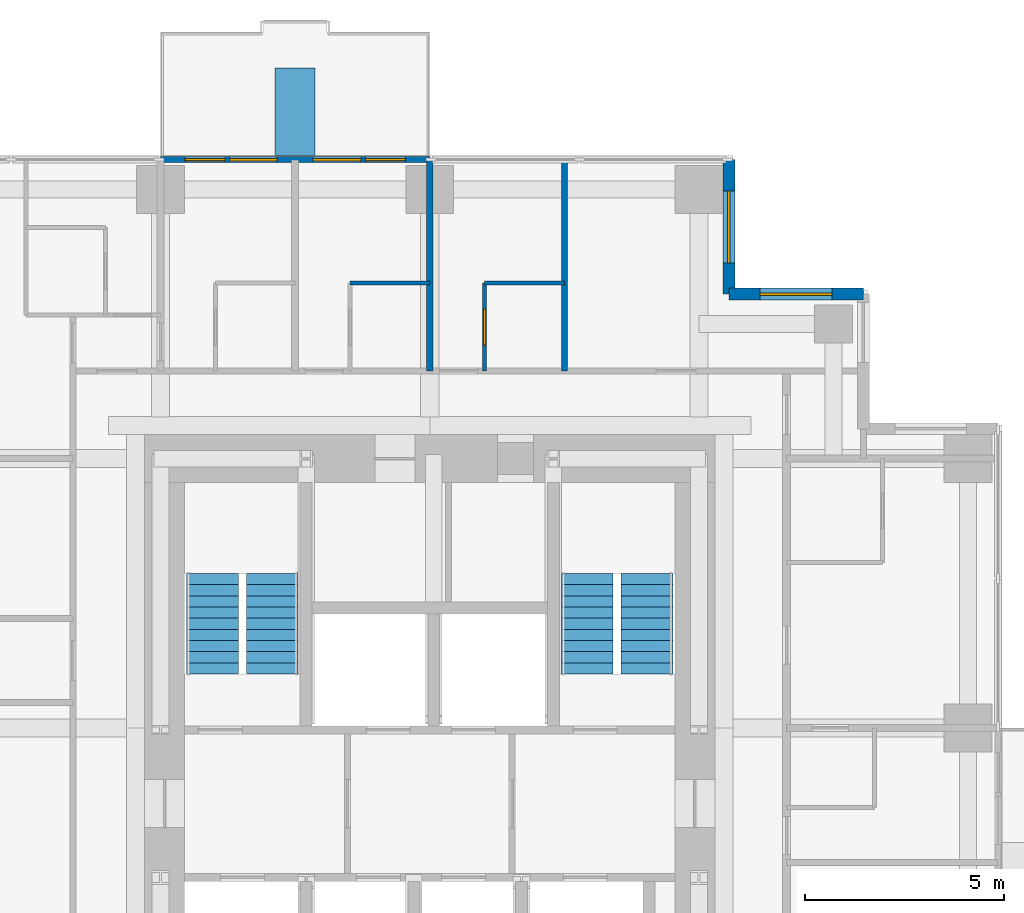
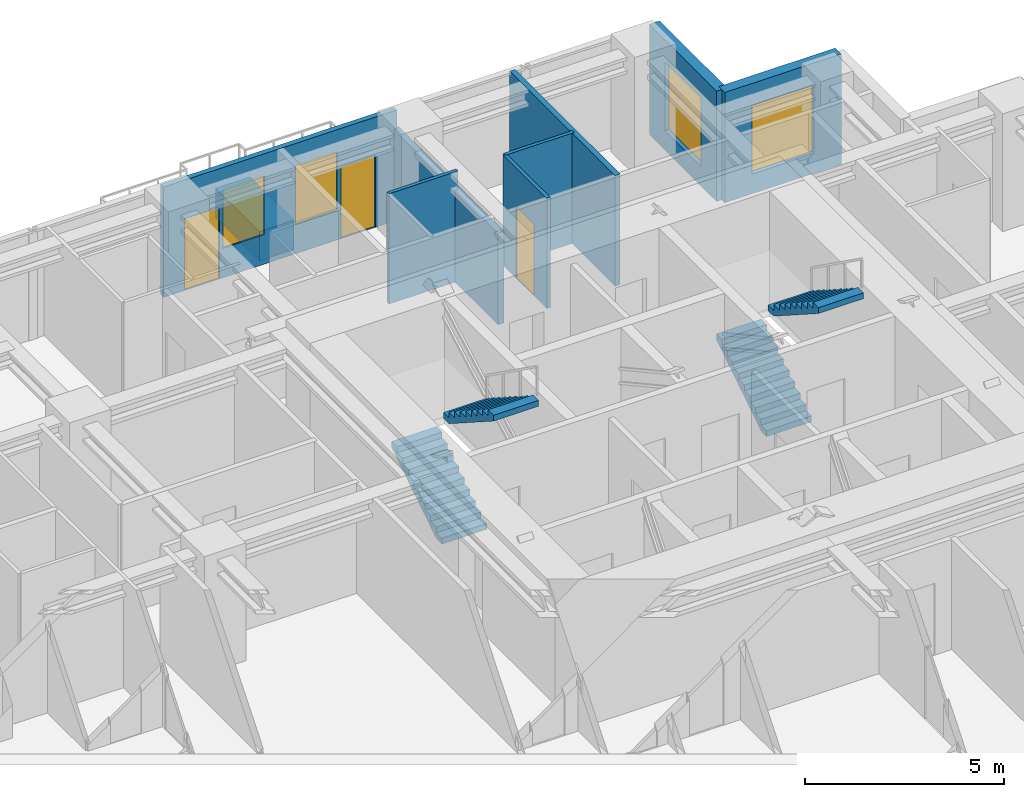
# One storey, part 9 of 10: 9 walls, 4 stair flights, 4 windows, 3 doors, 7 openings, 2 elements without a shape of their own.
"""IFC4 building model written with IfcOpenShell, lengths in metres."""

from ifc_helpers import new_model, si_unit, direction, frame, frame_2d, origin, place, context, subcontext, project, spatial, polyline, rectangle, outline, extrude, material, layer, layer_set, type_object, element, fill, aggregate, save


model = new_model("IFC4")

# Units and contexts
model_context = context("Model", 3, precision=1e-05, world=origin(), true_north=direction((0.0, 1.0)))
body_context = subcontext(model_context, "Body", "Model", "MODEL_VIEW")
ifc_project = project(units=[si_unit("LENGTHUNIT", "METRE"), si_unit("AREAUNIT", "SQUARE_METRE"), si_unit("VOLUMEUNIT", "CUBIC_METRE"), si_unit("PLANEANGLEUNIT", "RADIAN"), si_unit("MASSUNIT", "GRAM", prefix="KILO")], contexts=[model_context])

# Site, building, storey
site_placement = place(None, origin())
site = spatial("IfcSite", under=ifc_project, at=site_placement, CompositionType="ELEMENT")
building_placement = place(site_placement, origin())
building = spatial("IfcBuilding", under=site, at=building_placement, Name="Nyansa Garden Tower", CompositionType="ELEMENT")
storey_placement = place(building_placement, frame((0.0, 0.0, 185.39990234375)))
storey = spatial("IfcBuildingStorey", under=building, at=storey_placement, Name="L50", CompositionType="ELEMENT", Elevation=185.39990234375)

# Wall
ifc_material_1 = material(Name="Dense blockwork, plastered both sides, 55 dB", Category="masonry")
ifc_layer_1 = layer(ifc_material_1, 0.175048828125)
ifc_layer_set_1 = layer_set([ifc_layer_1], Name="Acoustic party wall PW175")
wall_type_1 = type_object("IfcWallType", Name="Acoustic party wall PW175", PredefinedType="PARTITIONING", material=ifc_layer_set_1)
wall_1_placement = place(storey_placement, frame((20.25, 29.199951171875, 0.0), z_axis=(0.0, 0.0, 1.0), x_axis=(0.0, 1.0, 0.0)))
element("IfcWall", 1, at=wall_1_placement, inside=storey, type_object=wall_type_1, Name="Party wall", PredefinedType="PARTITIONING", context=body_context, shape_type="SweptSolid", body=[
    extrude(rectangle(XDim=5.283935546875, YDim=0.175048828125, at=frame_2d((2.64208984375, 0.0))), origin(), (0.0, 0.0, 1.0), 2.80615234375),
])

# Wall, openings, doors, windows
ifc_material_2 = material(Name="Black aluminium framed glazed screen", Category="aluminium")
ifc_layer_2 = layer(ifc_material_2, 0.14990234375)
ifc_layer_set_2 = layer_set([ifc_layer_2], Name="Balcony screen wall BW150")
wall_type_2 = type_object("IfcWallType", Name="Balcony screen wall BW150", PredefinedType="SOLIDWALL", material=ifc_layer_set_2)
wall_2_placement = place(storey_placement, frame((13.5, 34.5, 0.0), z_axis=(0.0, 0.0, 1.0), x_axis=(1.0, 0.0, 0.0)))
wall_2 = element("IfcWall", 2, at=wall_2_placement, inside=storey, type_object=wall_type_2, Name="Glazed screen wall L50 N", PredefinedType="SOLIDWALL", context=body_context, shape_type="SweptSolid", body=[
    extrude(rectangle(XDim=6.75, YDim=0.14990234375, at=frame_2d((3.375, 0.0))), origin(), (0.0, 0.0, 1.0), 3.375),
])
opening_1_placement = place(wall_2_placement, frame((0.612548828125, 0.0, 0.0)))
opening_1 = element("IfcOpeningElement", 3, at=opening_1_placement, cuts=wall_2, Name="Opening D20", PredefinedType="OPENING", context=body_context, shape_type="SweptSolid", body=[
    extrude(rectangle(XDim=1.0, YDim=2.199951171875, at=frame_2d((0.5, 1.10009765625))), frame((0.0, 0.0849609375, 0.0), z_axis=(0.0, -1.0, 0.0), x_axis=(1.0, 0.0, 0.0)), (0.0, 0.0, 1.0), 0.169921875),
])
opening_2_placement = place(wall_2_placement, frame((1.72509765625, 0.0, 0.89990234375)))
opening_2 = element("IfcOpeningElement", 4, at=opening_2_placement, cuts=wall_2, Name="Opening W6", PredefinedType="OPENING", context=body_context, shape_type="SweptSolid", body=[
    extrude(rectangle(XDim=1.199951171875, YDim=1.800048828125, at=frame_2d((0.60009765625, 0.89990234375))), frame((0.0, 0.0849609375, 0.0), z_axis=(0.0, -1.0, 0.0), x_axis=(1.0, 0.0, 0.0)), (0.0, 0.0, 1.0), 0.169921875),
])
opening_3_placement = place(wall_2_placement, frame((5.137451171875, 0.0, 0.0)))
opening_3 = element("IfcOpeningElement", 5, at=opening_3_placement, cuts=wall_2, Name="Opening D20", PredefinedType="OPENING", context=body_context, shape_type="SweptSolid", body=[
    extrude(rectangle(XDim=1.0, YDim=2.199951171875, at=frame_2d((0.5, 1.10009765625))), frame((0.0, 0.0849609375, 0.0), z_axis=(0.0, -1.0, 0.0), x_axis=(1.0, 0.0, 0.0)), (0.0, 0.0, 1.0), 0.169921875),
])
opening_4_placement = place(wall_2_placement, frame((3.824951171875, 0.0, 0.89990234375)))
opening_4 = element("IfcOpeningElement", 6, at=opening_4_placement, cuts=wall_2, Name="Opening W6", PredefinedType="OPENING", context=body_context, shape_type="SweptSolid", body=[
    extrude(rectangle(XDim=1.199951171875, YDim=1.800048828125, at=frame_2d((0.60009765625, 0.89990234375))), frame((0.0, 0.0849609375, 0.0), z_axis=(0.0, -1.0, 0.0), x_axis=(1.0, 0.0, 0.0)), (0.0, 0.0, 1.0), 0.169921875),
])
ifc_material_3 = material(Name="Black aluminium framed glazed door", Category="aluminium")
door_type_1 = type_object("IfcDoorType", Name="Balcony door D20 1000x2200", OperationType="NOTDEFINED", PredefinedType="DOOR", material=ifc_material_3)
door_1_placement = place(opening_1_placement, origin())
door_1 = element("IfcDoor", 7, at=door_1_placement, inside=storey, type_object=door_type_1, Name="Balcony door L50", OperationType="SINGLE_SWING_LEFT", OverallHeight=2.199951171875, OverallWidth=1.0, PredefinedType="DOOR", context=body_context, shape_type="SweptSolid", body=[
    extrude(rectangle(XDim=1.0, YDim=2.199951171875, at=frame_2d((0.5, 1.10009765625))), frame((0.0, 0.02490234375, 0.0), z_axis=(0.0, -1.0, 0.0), x_axis=(1.0, 0.0, 0.0)), (0.0, 0.0, 1.0), 0.050048828125),
])
fill(opening_1, door_1)
door_2_placement = place(opening_3_placement, origin())
door_2 = element("IfcDoor", 8, at=door_2_placement, inside=storey, type_object=door_type_1, Name="Balcony door L50", OperationType="SINGLE_SWING_RIGHT", OverallHeight=2.199951171875, OverallWidth=1.0, PredefinedType="DOOR", context=body_context, shape_type="SweptSolid", body=[
    extrude(rectangle(XDim=1.0, YDim=2.199951171875, at=frame_2d((0.5, 1.10009765625))), frame((0.0, 0.02490234375, 0.0), z_axis=(0.0, -1.0, 0.0), x_axis=(1.0, 0.0, 0.0)), (0.0, 0.0, 1.0), 0.050048828125),
])
fill(opening_3, door_2)
ifc_material_4 = material(Name="Black aluminium frame, dark tinted double glazing", Category="aluminium")
window_type_1 = type_object("IfcWindowType", Name="Balcony window W6 1200x1800", PartitioningType="SINGLE_PANEL", PredefinedType="WINDOW", material=ifc_material_4)
window_1_placement = place(opening_2_placement, origin())
window_1 = element("IfcWindow", 9, at=window_1_placement, inside=storey, type_object=window_type_1, Name="Window L50", OverallHeight=1.800048828125, OverallWidth=1.199951171875, PartitioningType="SINGLE_PANEL", PredefinedType="WINDOW", context=body_context, shape_type="SweptSolid", body=[
    extrude(rectangle(XDim=1.199951171875, YDim=1.800048828125, at=frame_2d((0.60009765625, 0.89990234375))), frame((0.0, 0.030029296875, 0.0), z_axis=(0.0, -1.0, 0.0), x_axis=(1.0, 0.0, 0.0)), (0.0, 0.0, 1.0), 0.06005859375),
])
fill(opening_2, window_1)
window_2_placement = place(opening_4_placement, origin())
window_2 = element("IfcWindow", 10, at=window_2_placement, inside=storey, type_object=window_type_1, Name="Window L50", OverallHeight=1.800048828125, OverallWidth=1.199951171875, PartitioningType="SINGLE_PANEL", PredefinedType="WINDOW", context=body_context, shape_type="SweptSolid", body=[
    extrude(rectangle(XDim=1.199951171875, YDim=1.800048828125, at=frame_2d((0.60009765625, 0.89990234375))), frame((0.0, 0.030029296875, 0.0), z_axis=(0.0, -1.0, 0.0), x_axis=(1.0, 0.0, 0.0)), (0.0, 0.0, 1.0), 0.06005859375),
])
fill(opening_4, window_2)

# Wall
ifc_material_5 = material(Name="Blockwork, plastered both sides", Category="masonry")
ifc_layer_3 = layer(ifc_material_5, 0.14990234375)
ifc_layer_set_3 = layer_set([ifc_layer_3], Name="Partition PW150")
wall_type_3 = type_object("IfcWallType", Name="Partition PW150", PredefinedType="PARTITIONING", material=ifc_layer_set_3)
wall_3_placement = place(storey_placement, frame((23.625, 29.199951171875, 0.0), z_axis=(0.0, 0.0, 1.0), x_axis=(0.0, 1.0, 0.0)))
element("IfcWall", 11, at=wall_3_placement, inside=storey, type_object=wall_type_3, Name="Partition", PredefinedType="PARTITIONING", context=body_context, shape_type="SweptSolid", body=[
    extrude(rectangle(XDim=5.283935546875, YDim=0.14990234375, at=frame_2d((2.64208984375, 0.0))), origin(), (0.0, 0.0, 1.0), 3.375),
])

# Wall, opening, window
ifc_material_6 = material(Name="Turquoise glazed tile on concrete blockwork", Category="masonry")
ifc_layer_4 = layer(ifc_material_6, 0.300048828125)
ifc_layer_set_4 = layer_set([ifc_layer_4], Name="Tiled corner wall TW300")
wall_type_4 = type_object("IfcWallType", Name="Tiled corner wall TW300", PredefinedType="SOLIDWALL", material=ifc_layer_set_4)
wall_4_placement = place(storey_placement, frame((31.125, 31.125, 0.0), z_axis=(0.0, 0.0, 1.0), x_axis=(-1.0, 0.0, 0.0)))
wall_4 = element("IfcWall", 12, at=wall_4_placement, inside=storey, type_object=wall_type_4, Name="Tiled corner wall L50", PredefinedType="SOLIDWALL", context=body_context, shape_type="SweptSolid", body=[
    extrude(rectangle(XDim=3.375, YDim=0.300048828125, at=frame_2d((1.6875, 0.0))), origin(), (0.0, 0.0, 1.0), 3.375),
])
opening_5_placement = place(wall_4_placement, frame((0.78759765625, 0.0, 0.60009765625)))
opening_5 = element("IfcOpeningElement", 13, at=opening_5_placement, cuts=wall_4, Name="Opening W2", PredefinedType="OPENING", context=body_context, shape_type="SweptSolid", body=[
    extrude(rectangle(XDim=1.800048828125, YDim=2.10009765625, at=frame_2d((0.89990234375, 1.050048828125))), frame((0.0, 0.159912109375, 0.0), z_axis=(0.0, -1.0, 0.0), x_axis=(1.0, 0.0, 0.0)), (0.0, 0.0, 1.0), 0.320068359375),
])
ifc_material_7 = material(Name="Black aluminium frame, dark tinted double glazing", Category="aluminium")
window_type_2 = type_object("IfcWindowType", Name="Window W2 1800x2100", PartitioningType="SINGLE_PANEL", PredefinedType="WINDOW", material=ifc_material_7)
window_3_placement = place(opening_5_placement, origin())
window_3 = element("IfcWindow", 14, at=window_3_placement, inside=storey, type_object=window_type_2, Name="Corner window L50", OverallHeight=2.10009765625, OverallWidth=1.800048828125, PartitioningType="SINGLE_PANEL", PredefinedType="WINDOW", context=body_context, shape_type="SweptSolid", body=[
    extrude(rectangle(XDim=1.800048828125, YDim=2.10009765625, at=frame_2d((0.89990234375, 1.050048828125))), frame((0.0, 0.030029296875, 0.0), z_axis=(0.0, -1.0, 0.0), x_axis=(1.0, 0.0, 0.0)), (0.0, 0.0, 1.0), 0.06005859375),
])
fill(opening_5, window_3)

wall_5_placement = place(storey_placement, frame((27.75, 31.125, 0.0), z_axis=(0.0, 0.0, 1.0), x_axis=(0.0, 1.0, 0.0)))
wall_5 = element("IfcWall", 15, at=wall_5_placement, inside=storey, type_object=wall_type_4, Name="Tiled corner wall L50", PredefinedType="SOLIDWALL", context=body_context, shape_type="SweptSolid", body=[
    extrude(rectangle(XDim=3.375, YDim=0.300048828125, at=frame_2d((1.6875, 0.0))), origin(), (0.0, 0.0, 1.0), 3.375),
])
opening_6_placement = place(wall_5_placement, frame((0.78759765625, 0.0, 0.60009765625)))
opening_6 = element("IfcOpeningElement", 16, at=opening_6_placement, cuts=wall_5, Name="Opening W2", PredefinedType="OPENING", context=body_context, shape_type="SweptSolid", body=[
    extrude(rectangle(XDim=1.800048828125, YDim=2.10009765625, at=frame_2d((0.89990234375, 1.050048828125))), frame((0.0, 0.159912109375, 0.0), z_axis=(0.0, -1.0, 0.0), x_axis=(1.0, 0.0, 0.0)), (0.0, 0.0, 1.0), 0.320068359375),
])
window_4_placement = place(opening_6_placement, origin())
window_4 = element("IfcWindow", 17, at=window_4_placement, inside=storey, type_object=window_type_2, Name="Corner window L50", OverallHeight=2.10009765625, OverallWidth=1.800048828125, PartitioningType="SINGLE_PANEL", PredefinedType="WINDOW", context=body_context, shape_type="SweptSolid", body=[
    extrude(rectangle(XDim=1.800048828125, YDim=2.10009765625, at=frame_2d((0.89990234375, 1.050048828125))), frame((0.0, 0.030029296875, 0.0), z_axis=(0.0, -1.0, 0.0), x_axis=(1.0, 0.0, 0.0)), (0.0, 0.0, 1.0), 0.06005859375),
])
fill(opening_6, window_4)

# Walls
ifc_material_8 = material(Name="Concrete C40/50 planter, waterproofed", Category="concrete")
ifc_layer_5 = layer(ifc_material_8, 1.0)
ifc_layer_set_5 = layer_set([ifc_layer_5], Name="Tree planter TP1")
wall_type_5 = type_object("IfcWallType", Name="Tree planter TP1", PredefinedType="USERDEFINED", material=ifc_layer_set_5)
wall_6_placement = place(storey_placement, frame((16.875, 34.60009765625, 0.0), z_axis=(0.0, 0.0, 1.0), x_axis=(0.0, 1.0, 0.0)))
element("IfcWall", 18, at=wall_6_placement, inside=storey, type_object=wall_type_5, Name="Tree planter L50", ObjectType="TREE PLANTER", PredefinedType="USERDEFINED", context=body_context, shape_type="SweptSolid", body=[
    extrude(rectangle(XDim=2.199951171875, YDim=1.0, at=frame_2d((1.10009765625, 0.0))), origin(), (0.0, 0.0, 1.0), 0.900146484375),
])
ifc_material_9 = material(Name="Moisture resistant board on steel studs, tiled", Category="steel")
ifc_layer_6 = layer(ifc_material_9, 0.10009765625)
ifc_layer_set_6 = layer_set([ifc_layer_6], Name="Wet wall PW100")
wall_type_6 = type_object("IfcWallType", Name="Wet wall PW100", PredefinedType="PARTITIONING", material=ifc_layer_set_6)
wall_7_placement = place(storey_placement, frame((18.25, 31.39990234375, 0.0), z_axis=(0.0, 0.0, 1.0), x_axis=(1.0, 0.0, 0.0)))
element("IfcWall", 19, at=wall_7_placement, inside=storey, type_object=wall_type_6, Name="Wet wall", PredefinedType="PARTITIONING", context=body_context, shape_type="SweptSolid", body=[
    extrude(rectangle(XDim=2.0, YDim=0.10009765625, at=frame_2d((1.0, 0.0))), origin(), (0.0, 0.0, 1.0), 3.375),
])

# Wall, opening, door
wall_8_placement = place(storey_placement, frame((21.625, 29.199951171875, 0.0), z_axis=(0.0, 0.0, 1.0), x_axis=(0.0, 1.0, 0.0)))
wall_8 = element("IfcWall", 20, at=wall_8_placement, inside=storey, type_object=wall_type_6, Name="Wet wall", PredefinedType="PARTITIONING", context=body_context, shape_type="SweptSolid", body=[
    extrude(rectangle(XDim=2.199951171875, YDim=0.10009765625, at=frame_2d((1.10009765625, 0.0))), origin(), (0.0, 0.0, 1.0), 3.375),
])
opening_7_placement = place(wall_8_placement, frame((0.64990234375, 0.0, 0.0)))
opening_7 = element("IfcOpeningElement", 21, at=opening_7_placement, cuts=wall_8, Name="Opening D02", PredefinedType="OPENING", context=body_context, shape_type="SweptSolid", body=[
    extrude(rectangle(XDim=0.89990234375, YDim=2.199951171875, at=frame_2d((0.449951171875, 1.10009765625))), frame((0.0, 0.06005859375, 0.0), z_axis=(0.0, -1.0, 0.0), x_axis=(1.0, 0.0, 0.0)), (0.0, 0.0, 1.0), 0.1201171875),
])
ifc_material_10 = material(Name="Timber flush door", Category="wood")
door_type_2 = type_object("IfcDoorType", Name="En-suite door D02 900x2200", OperationType="SINGLE_SWING_RIGHT", PredefinedType="DOOR", material=ifc_material_10)
door_3_placement = place(opening_7_placement, origin())
door_3 = element("IfcDoor", 22, at=door_3_placement, inside=storey, type_object=door_type_2, Name="Door L50-047", OperationType="SINGLE_SWING_RIGHT", OverallHeight=2.199951171875, OverallWidth=0.89990234375, PredefinedType="DOOR", context=body_context, shape_type="SweptSolid", body=[
    extrude(rectangle(XDim=0.89990234375, YDim=2.199951171875, at=frame_2d((0.449951171875, 1.10009765625))), frame((0.0, 0.02490234375, 0.0), z_axis=(0.0, -1.0, 0.0), x_axis=(1.0, 0.0, 0.0)), (0.0, 0.0, 1.0), 0.050048828125),
])
fill(opening_7, door_3)

# Wall
wall_9_placement = place(storey_placement, frame((21.625, 31.39990234375, 0.0), z_axis=(0.0, 0.0, 1.0), x_axis=(1.0, 0.0, 0.0)))
element("IfcWall", 23, at=wall_9_placement, inside=storey, type_object=wall_type_6, Name="Wet wall", PredefinedType="PARTITIONING", context=body_context, shape_type="SweptSolid", body=[
    extrude(rectangle(XDim=2.0, YDim=0.10009765625, at=frame_2d((1.0, 0.0))), origin(), (0.0, 0.0, 1.0), 3.375),
])

# Stair, stair flights
ifc_material_11 = material(Name="Precast concrete C40/50", Category="concrete")
stair_type_1 = type_object("IfcStairType", Name="Stair S1 180x280", PredefinedType="HALF_TURN_STAIR", material=ifc_material_11)
stair_1_placement = place(storey_placement, origin())
stair_1 = element("IfcStair", 24, at=stair_1_placement, inside=storey, type_object=stair_type_1, Name="Stair S1 L50", PredefinedType="HALF_TURN_STAIR")
ifc_material_12 = material(Name="Precast concrete C40/50", Category="concrete")
stair_flight_type_1 = type_object("IfcStairFlightType", Name="Stair flight S1 180x280x10", PredefinedType="STRAIGHT", material=ifc_material_12)
stair_flight_1_placement = place(storey_placement, frame((14.800048828125, 21.60009765625, 0.0), z_axis=(0.0, 0.0, 1.0), x_axis=(0.0, 1.0, 0.0)))
stair_flight_1 = element("IfcStairFlight", 25, at=stair_flight_1_placement, type_object=stair_flight_type_1, Name="S1 flight 1", NumberOfRisers=10, NumberOfTreads=9, PredefinedType="STRAIGHT", RiserHeight=0.18, TreadLength=0.28, context=body_context, shape_type="SweptSolid", body=[
    extrude(outline(polyline([(0.0, 0.0), (0.0, 0.179931640625), (0.280029296875, 0.179931640625), (0.280029296875, 0.360107421875), (0.56005859375, 0.360107421875), (0.56005859375, 0.5400390625), (0.840087890625, 0.5400390625), (0.840087890625, 0.719970703125), (1.1201171875, 0.719970703125), (1.1201171875, 0.89990234375), (1.39990234375, 0.89990234375), (1.39990234375, 1.080078125), (1.679931640625, 1.080078125), (1.679931640625, 1.260009765625), (1.9599609375, 1.260009765625), (1.9599609375, 1.43994140625), (2.239990234375, 1.43994140625), (2.239990234375, 1.6201171875), (2.52001953125, 1.6201171875), (2.52001953125, 1.800048828125), (2.52001953125, 1.44189453125), (0.277099609375, 0.0), (0.0, 0.0)])), frame((0.0, 0.64990234375, 0.0), z_axis=(0.0, -1.0, 0.0), x_axis=(1.0, 0.0, 0.0)), (0.0, 0.0, 1.0), 1.300048828125),
])
stair_flight_2_placement = place(storey_placement, frame((16.300048828125, 24.1201171875, 1.800048828125), z_axis=(0.0, 0.0, 1.0), x_axis=(0.0, -1.0, 0.0)))
stair_flight_2 = element("IfcStairFlight", 26, at=stair_flight_2_placement, type_object=stair_flight_type_1, Name="S1 flight 2", NumberOfRisers=10, NumberOfTreads=9, PredefinedType="STRAIGHT", RiserHeight=0.18, TreadLength=0.28, context=body_context, shape_type="SweptSolid", body=[
    extrude(outline(polyline([(0.0, 0.0), (0.0, 0.179931640625), (0.280029296875, 0.179931640625), (0.280029296875, 0.360107421875), (0.56005859375, 0.360107421875), (0.56005859375, 0.5400390625), (0.840087890625, 0.5400390625), (0.840087890625, 0.719970703125), (1.1201171875, 0.719970703125), (1.1201171875, 0.89990234375), (1.39990234375, 0.89990234375), (1.39990234375, 1.080078125), (1.679931640625, 1.080078125), (1.679931640625, 1.260009765625), (1.9599609375, 1.260009765625), (1.9599609375, 1.43994140625), (2.239990234375, 1.43994140625), (2.239990234375, 1.6201171875), (2.52001953125, 1.6201171875), (2.52001953125, 1.800048828125), (2.52001953125, 1.44189453125), (0.277099609375, 0.0), (0.0, 0.0)])), frame((0.0, 0.64990234375, 0.0), z_axis=(0.0, -1.0, 0.0), x_axis=(1.0, 0.0, 0.0)), (0.0, 0.0, 1.0), 1.300048828125),
])
aggregate(stair_1, [stair_flight_1, stair_flight_2])

ifc_material_13 = material(Name="Precast concrete C40/50", Category="concrete")
stair_type_2 = type_object("IfcStairType", Name="Stair S2 180x280", PredefinedType="HALF_TURN_STAIR", material=ifc_material_13)
stair_2_placement = place(storey_placement, origin())
stair_2 = element("IfcStair", 27, at=stair_2_placement, inside=storey, type_object=stair_type_2, Name="Stair S2 L50", PredefinedType="HALF_TURN_STAIR")
ifc_material_14 = material(Name="Precast concrete C40/50", Category="concrete")
stair_flight_type_2 = type_object("IfcStairFlightType", Name="Stair flight S2 180x280x10", PredefinedType="STRAIGHT", material=ifc_material_14)
stair_flight_3_placement = place(storey_placement, frame((24.199951171875, 21.60009765625, 0.0), z_axis=(0.0, 0.0, 1.0), x_axis=(0.0, 1.0, 0.0)))
stair_flight_3 = element("IfcStairFlight", 28, at=stair_flight_3_placement, type_object=stair_flight_type_2, Name="S2 flight 1", NumberOfRisers=10, NumberOfTreads=9, PredefinedType="STRAIGHT", RiserHeight=0.18, TreadLength=0.28, context=body_context, shape_type="SweptSolid", body=[
    extrude(outline(polyline([(0.0, 0.0), (0.0, 0.179931640625), (0.280029296875, 0.179931640625), (0.280029296875, 0.360107421875), (0.56005859375, 0.360107421875), (0.56005859375, 0.5400390625), (0.840087890625, 0.5400390625), (0.840087890625, 0.719970703125), (1.1201171875, 0.719970703125), (1.1201171875, 0.89990234375), (1.39990234375, 0.89990234375), (1.39990234375, 1.080078125), (1.679931640625, 1.080078125), (1.679931640625, 1.260009765625), (1.9599609375, 1.260009765625), (1.9599609375, 1.43994140625), (2.239990234375, 1.43994140625), (2.239990234375, 1.6201171875), (2.52001953125, 1.6201171875), (2.52001953125, 1.800048828125), (2.52001953125, 1.44189453125), (0.277099609375, 0.0), (0.0, 0.0)])), frame((0.0, 0.64990234375, 0.0), z_axis=(0.0, -1.0, 0.0), x_axis=(1.0, 0.0, 0.0)), (0.0, 0.0, 1.0), 1.300048828125),
])
stair_flight_4_placement = place(storey_placement, frame((25.699951171875, 24.1201171875, 1.800048828125), z_axis=(0.0, 0.0, 1.0), x_axis=(0.0, -1.0, 0.0)))
stair_flight_4 = element("IfcStairFlight", 29, at=stair_flight_4_placement, type_object=stair_flight_type_2, Name="S2 flight 2", NumberOfRisers=10, NumberOfTreads=9, PredefinedType="STRAIGHT", RiserHeight=0.18, TreadLength=0.28, context=body_context, shape_type="SweptSolid", body=[
    extrude(outline(polyline([(0.0, 0.0), (0.0, 0.179931640625), (0.280029296875, 0.179931640625), (0.280029296875, 0.360107421875), (0.56005859375, 0.360107421875), (0.56005859375, 0.5400390625), (0.840087890625, 0.5400390625), (0.840087890625, 0.719970703125), (1.1201171875, 0.719970703125), (1.1201171875, 0.89990234375), (1.39990234375, 0.89990234375), (1.39990234375, 1.080078125), (1.679931640625, 1.080078125), (1.679931640625, 1.260009765625), (1.9599609375, 1.260009765625), (1.9599609375, 1.43994140625), (2.239990234375, 1.43994140625), (2.239990234375, 1.6201171875), (2.52001953125, 1.6201171875), (2.52001953125, 1.800048828125), (2.52001953125, 1.44189453125), (0.277099609375, 0.0), (0.0, 0.0)])), frame((0.0, 0.64990234375, 0.0), z_axis=(0.0, -1.0, 0.0), x_axis=(1.0, 0.0, 0.0)), (0.0, 0.0, 1.0), 1.300048828125),
])
aggregate(stair_2, [stair_flight_3, stair_flight_4])

save(model, "model.ifc")
